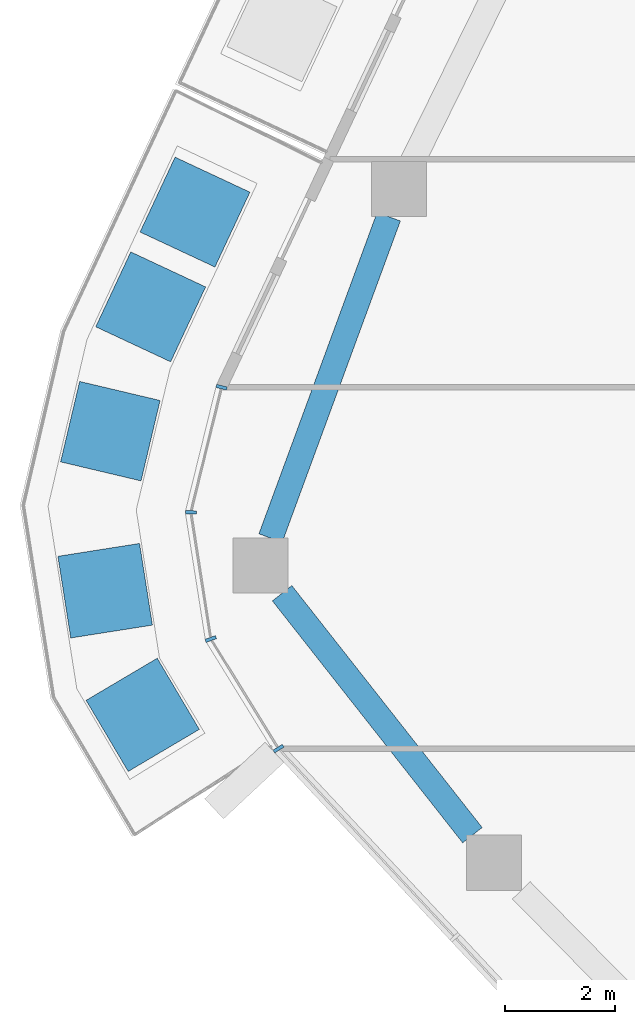
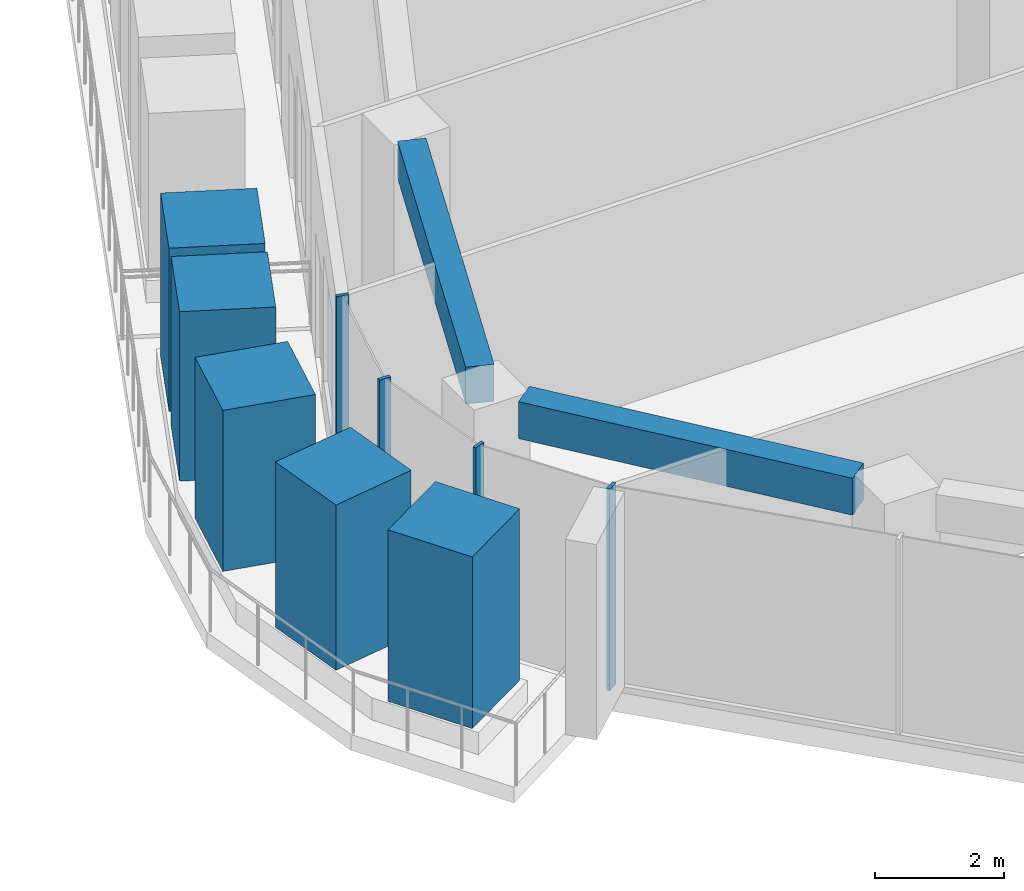
# One storey, part 3 of 24: 9 members, 2 beams, 1 element without a shape of its own.
"""IFC4 building model written with IfcOpenShell, lengths in metres."""

from ifc_helpers import new_model, si_unit, direction, frame, origin, origin_2d, place, context, subcontext, project, spatial, rectangle, extrude, material, layer, layer_set, material_profile, profile_set, type_object, element, aggregate, save


model = new_model("IFC4")

# Units and contexts
model_context = context("Model", 3, precision=1e-05, world=origin(), true_north=direction((0.0, 1.0)))
body_context = subcontext(model_context, "Body", "Model", "MODEL_VIEW")
ifc_project = project(units=[si_unit("LENGTHUNIT", "METRE"), si_unit("AREAUNIT", "SQUARE_METRE"), si_unit("VOLUMEUNIT", "CUBIC_METRE"), si_unit("PLANEANGLEUNIT", "RADIAN"), si_unit("MASSUNIT", "GRAM", prefix="KILO")], contexts=[model_context])

# Site, building, storey
site_placement = place(None, origin())
site = spatial("IfcSite", under=ifc_project, at=site_placement, CompositionType="ELEMENT")
building_placement = place(site_placement, origin())
building = spatial("IfcBuilding", under=site, at=building_placement, Name="Dongbaek Canopy Tower", CompositionType="ELEMENT")
storey_placement = place(building_placement, frame((0.0, 0.0, 332.0)))
storey = spatial("IfcBuildingStorey", under=building, at=storey_placement, Name="L71", CompositionType="ELEMENT", Elevation=332.0)

# Curtain wall, members
ifc_material_1 = material(Name="Aluminium 6063-T6 pale anodised", Category="aluminium")
ifc_layer = layer(ifc_material_1, 0.199951171875)
ifc_layer_set = layer_set([ifc_layer], Name="CW-1 unitised tower curtain wall")
curtain_wall_type = type_object("IfcCurtainWallType", Name="CW-1 unitised tower curtain wall", PredefinedType="NOTDEFINED", material=ifc_layer_set)
curtain_wall_placement = place(storey_placement, origin())
curtain_wall = element("IfcCurtainWall", 1, at=curtain_wall_placement, inside=storey, type_object=curtain_wall_type, Name="CW-1 curtain wall K3.1", PredefinedType="NOTDEFINED")
ifc_material_2 = material(Name="Aluminium 6063-T6 pale anodised", Category="aluminium")
ifc_material_profile_1 = material_profile(ifc_material_2, rectangle(XDim=0.199951171875, YDim=0.06005859375, at=origin_2d()), Name="CW-1 mullion 60 x 200")
ifc_profile_set_1 = profile_set([ifc_material_profile_1], Name="Aluminium 6063-T6 pale anodised")
member_type_1 = type_object("IfcMemberType", Name="CW-1 mullion 60 x 200", PredefinedType="MULLION", material=ifc_profile_set_1)
member_1_placement = place(storey_placement, frame((-31.8330078125, -3.507568359375, 0.0), z_axis=(0.0, 0.0, 1.0), x_axis=(-0.971110092335, 0.238631910198, 0.0)))
member_1 = element("IfcMember", 2, at=member_1_placement, type_object=member_type_1, Name="CW-1 mullion K3.1.1", PredefinedType="MULLION", context=body_context, shape_type="SweptSolid", body=[
    extrude(rectangle(XDim=0.199951171875, YDim=0.06005859375, at=origin_2d()), origin(), (0.0, 0.0, 1.0), 3.820068359375),
])
member_2_placement = place(storey_placement, frame((-32.390625, -5.77685546875, 0.0), z_axis=(0.0, 0.0, 1.0), x_axis=(-0.999101300895, 0.042386207062, 0.0)))
member_2 = element("IfcMember", 3, at=member_2_placement, type_object=member_type_1, Name="CW-1 mullion K3.1.2", PredefinedType="MULLION", context=body_context, shape_type="SweptSolid", body=[
    extrude(rectangle(XDim=0.199951171875, YDim=0.06005859375, at=origin_2d()), origin(), (0.0, 0.0, 1.0), 3.820068359375),
])
member_3_placement = place(storey_placement, frame((-32.02880859375, -8.075439453125, 0.0), z_axis=(0.0, 0.0, 1.0), x_axis=(-0.937744851742, -0.347324909891, 0.0)))
member_3 = element("IfcMember", 4, at=member_3_placement, type_object=member_type_1, Name="CW-1 mullion K3.1.3", PredefinedType="MULLION", context=body_context, shape_type="SweptSolid", body=[
    extrude(rectangle(XDim=0.199951171875, YDim=0.06005859375, at=origin_2d()), origin(), (0.0, 0.0, 1.0), 3.820068359375),
])
member_4_placement = place(storey_placement, frame((-30.800537109375, -10.063720703125, 0.0), z_axis=(0.0, 0.0, 1.0), x_axis=(-0.850808249929, -0.525476280961, 0.0)))
member_4 = element("IfcMember", 5, at=member_4_placement, type_object=member_type_1, Name="CW-1 mullion K3.1.4", PredefinedType="MULLION", context=body_context, shape_type="SweptSolid", body=[
    extrude(rectangle(XDim=0.199951171875, YDim=0.06005859375, at=origin_2d()), origin(), (0.0, 0.0, 1.0), 3.820068359375),
])
aggregate(curtain_wall, [member_1, member_2, member_3, member_4])

# Beams
ifc_material_3 = material(Name="Concrete C60", Category="concrete")
ifc_material_profile_2 = material_profile(ifc_material_3, rectangle(XDim=0.449951171875, YDim=0.699951171875, at=origin_2d()), Name="RC EDGE BEAM 450x700 C60")
ifc_profile_set_2 = profile_set([ifc_material_profile_2], Name="Concrete C60")
beam_type = type_object("IfcBeamType", Name="RC EDGE BEAM 450x700 C60", PredefinedType="BEAM", material=ifc_profile_set_2)
beam_1_placement = place(storey_placement, frame((-27.282470703125, -11.634033203125, 3.469970703125), z_axis=(-0.618340786972, 0.78591009102, 0.0), x_axis=(-0.78591009102, -0.618340786972, 0.0)))
element("IfcBeam", 6, at=beam_1_placement, inside=storey, type_object=beam_type, Name="EDGEBEAM:L71:07", PredefinedType="BEAM", context=body_context, shape_type="SweptSolid", body=[
    extrude(rectangle(XDim=0.449951171875, YDim=0.699951171875, at=origin_2d()), origin(), (0.0, 0.0, 1.0), 5.58447265625),
])
beam_2_placement = place(storey_placement, frame((-30.945068359375, -6.2451171875, 3.469970703125), z_axis=(0.345138950659, 0.938551599401, 0.0), x_axis=(-0.938551599401, 0.345138950659, 0.0)))
element("IfcBeam", 7, at=beam_2_placement, inside=storey, type_object=beam_type, Name="EDGEBEAM:L71:08", PredefinedType="BEAM", context=body_context, shape_type="SweptSolid", body=[
    extrude(rectangle(XDim=0.449951171875, YDim=0.699951171875, at=origin_2d()), origin(), (0.0, 0.0, 1.0), 6.212890625),
])

# Members
ifc_material_4 = material(Name="Concrete C40/50 planter mass with planting", Category="concrete")
ifc_material_profile_3 = material_profile(ifc_material_4, rectangle(XDim=1.5, YDim=1.5, at=origin_2d()), Name="Terrace PLANTER shrub mass 1500 x 1500")
ifc_profile_set_3 = profile_set([ifc_material_profile_3], Name="Concrete C40/50 planter mass with planting")
member_type_2 = type_object("IfcMemberType", Name="Terrace PLANTER shrub mass 1500 x 1500", PredefinedType="USERDEFINED", material=ifc_profile_set_3)
member_5_placement = place(storey_placement, frame((-32.3154296875, -0.33154296875, 0.419921875), z_axis=(0.0, 0.0, 1.0), x_axis=(-0.905889150893, 0.423514871397, 0.0)))
element("IfcMember", 8, at=member_5_placement, inside=storey, type_object=member_type_2, Name="Planter shrubs L71 7.1", ObjectType="PLANTER", PredefinedType="USERDEFINED", context=body_context, shape_type="SweptSolid", body=[
    extrude(rectangle(XDim=1.5, YDim=1.5, at=origin_2d()), origin(), (0.0, 0.0, 1.0), 3.090087890625),
])
member_6_placement = place(storey_placement, frame((-33.118896484375, -2.050537109375, 0.419921875), z_axis=(0.0, 0.0, 1.0), x_axis=(-0.905889150893, 0.423514871397, 0.0)))
element("IfcMember", 9, at=member_6_placement, inside=storey, type_object=member_type_2, Name="Planter shrubs L71 7.2", ObjectType="PLANTER", PredefinedType="USERDEFINED", context=body_context, shape_type="SweptSolid", body=[
    extrude(rectangle(XDim=1.5, YDim=1.5, at=origin_2d()), origin(), (0.0, 0.0, 1.0), 3.2099609375),
])
member_7_placement = place(storey_placement, frame((-33.850830078125, -4.305419921875, 0.419921875), z_axis=(0.0, 0.0, 1.0), x_axis=(-0.973143922153, 0.230197538598, 0.0)))
element("IfcMember", 10, at=member_7_placement, inside=storey, type_object=member_type_2, Name="Planter shrubs L71 7.3", ObjectType="PLANTER", PredefinedType="USERDEFINED", context=body_context, shape_type="SweptSolid", body=[
    extrude(rectangle(XDim=1.5, YDim=1.5, at=origin_2d()), origin(), (0.0, 0.0, 1.0), 3.050048828125),
])
member_8_placement = place(storey_placement, frame((-33.945068359375, -7.199462890625, 0.419921875), z_axis=(0.0, 0.0, 1.0), x_axis=(-0.987831940878, -0.155525099522, 0.0)))
element("IfcMember", 11, at=member_8_placement, inside=storey, type_object=member_type_2, Name="Planter shrubs L71 7.4", ObjectType="PLANTER", PredefinedType="USERDEFINED", context=body_context, shape_type="SweptSolid", body=[
    extrude(rectangle(XDim=1.5, YDim=1.5, at=origin_2d()), origin(), (0.0, 0.0, 1.0), 3.130126953125),
])
member_9_placement = place(storey_placement, frame((-33.263427734375, -9.451171875, 0.419921875), z_axis=(0.0, 0.0, 1.0), x_axis=(-0.860621503226, -0.509245155288, 0.0)))
element("IfcMember", 12, at=member_9_placement, inside=storey, type_object=member_type_2, Name="Planter shrubs L71 7.5", ObjectType="PLANTER", PredefinedType="USERDEFINED", context=body_context, shape_type="SweptSolid", body=[
    extrude(rectangle(XDim=1.5, YDim=1.5, at=origin_2d()), origin(), (0.0, 0.0, 1.0), 3.25),
])

save(model, "model.ifc")
